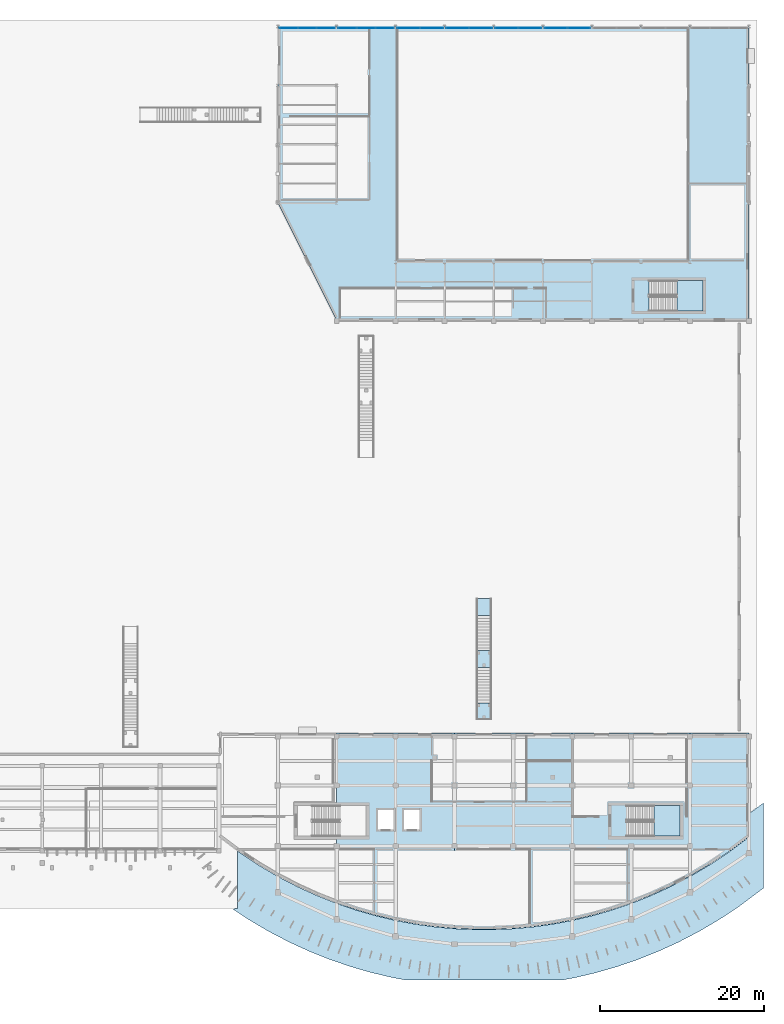
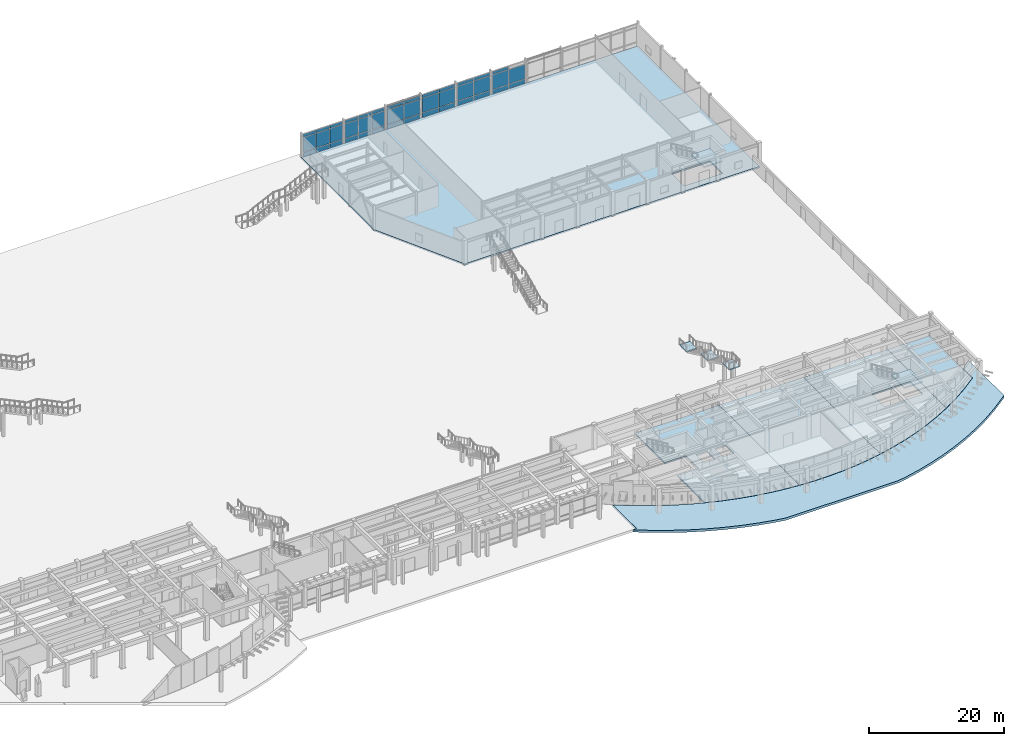
# One storey, part 26 of 58: 41 plates, 11 slabs, 9 elements without a shape of their own.
"""IFC4 building model written with IfcOpenShell, lengths in metres."""

from ifc_helpers import new_model, si_unit, direction, frame, origin, origin_2d, place, context, subcontext, project, spatial, polyline, rectangle, outline, extrude, material, layer, layer_set, type_object, element, aggregate, save


model = new_model("IFC4")

# Units and contexts
model_context = context("Model", 3, precision=1e-05, world=origin(), true_north=direction((0.0, 1.0)))
body_context = subcontext(model_context, "Body", "Model", "MODEL_VIEW")
ifc_project = project(units=[si_unit("LENGTHUNIT", "METRE"), si_unit("AREAUNIT", "SQUARE_METRE"), si_unit("VOLUMEUNIT", "CUBIC_METRE"), si_unit("PLANEANGLEUNIT", "RADIAN"), si_unit("MASSUNIT", "GRAM", prefix="KILO")], contexts=[model_context])

# Site, building, storey
site_placement = place(None, origin())
site = spatial("IfcSite", under=ifc_project, at=site_placement, CompositionType="ELEMENT")
building_placement = place(site_placement, origin())
building = spatial("IfcBuilding", under=site, at=building_placement, Name="Brisavento Harbour Community Centre", CompositionType="ELEMENT")
storey_placement = place(building_placement, origin())
storey = spatial("IfcBuildingStorey", under=building, at=storey_placement, Name="L00", CompositionType="ELEMENT", Elevation=0.0)

# Curtain wall, plates
ifc_material_1 = material(Name="Marine-anodised aluminium AW-6063-T6", Category="aluminium")
ifc_layer_1 = layer(ifc_material_1, 0.179931640625, Name="Marine-anodised aluminium AW-6063-T6")
ifc_layer_set_1 = layer_set([ifc_layer_1], Name="Marine-anodised aluminium AW-6063-T6")
curtain_wall_type_1 = type_object("IfcCurtainWallType", Name="CW-SYS-11", PredefinedType="USERDEFINED", material=ifc_layer_set_1)
curtain_wall_1_placement = place(storey_placement, origin())
curtain_wall_1 = element("IfcCurtainWall", 1, at=curtain_wall_1_placement, inside=storey, type_object=curtain_wall_type_1, Name="L00 V4 unitised curtain wall 011", ObjectType="UNITISED CURTAIN WALL", PredefinedType="USERDEFINED")
ifc_material_2 = material(Name="Solar-control laminated low-E glass", Category="glass")
ifc_layer_2 = layer(ifc_material_2, 0.02392578125, Name="Solar-control laminated low-E glass")
ifc_layer_set_2 = layer_set([ifc_layer_2], Name="Solar-control laminated low-E glass")
plate_type_1 = type_object("IfcPlateType", Name="CWP-GLZ-1", PredefinedType="CURTAIN_PANEL", material=ifc_layer_set_2)
plate_1_placement = place(storey_placement, frame((143.186279296875, 115.02001953125, 0.074951171875), z_axis=(0.0, 0.0, 1.0), x_axis=(1.0, 0.0, 0.0)))
plate_1 = element("IfcPlate", 2, at=plate_1_placement, type_object=plate_type_1, Name="CW-11 panel 1.1", PredefinedType="CURTAIN_PANEL", context=body_context, shape_type="SweptSolid", body=[
    extrude(rectangle(XDim=2.75244140625, YDim=0.02392578125, at=origin_2d()), origin(), (0.0, 0.0, 1.0), 0.78759765625),
])
plate_2_placement = place(storey_placement, frame((143.186279296875, 115.02001953125, 0.9375), z_axis=(0.0, 0.0, 1.0), x_axis=(1.0, 0.0, 0.0)))
plate_2 = element("IfcPlate", 3, at=plate_2_placement, type_object=plate_type_1, Name="CW-11 panel 1.2", PredefinedType="CURTAIN_PANEL", context=body_context, shape_type="SweptSolid", body=[
    extrude(rectangle(XDim=2.75244140625, YDim=0.02392578125, at=origin_2d()), origin(), (0.0, 0.0, 1.0), 2.614990234375),
])
plate_3_placement = place(storey_placement, frame((143.186279296875, 115.02001953125, 3.62744140625), z_axis=(0.0, 0.0, 1.0), x_axis=(1.0, 0.0, 0.0)))
plate_3 = element("IfcPlate", 4, at=plate_3_placement, type_object=plate_type_1, Name="CW-11 panel 1.3", PredefinedType="CURTAIN_PANEL", context=body_context, shape_type="SweptSolid", body=[
    extrude(rectangle(XDim=2.75244140625, YDim=0.02392578125, at=origin_2d()), origin(), (0.0, 0.0, 1.0), 0.53759765625),
])
plate_4_placement = place(storey_placement, frame((146.013671875, 115.02001953125, 0.074951171875), z_axis=(0.0, 0.0, 1.0), x_axis=(1.0, 0.0, 0.0)))
plate_4 = element("IfcPlate", 5, at=plate_4_placement, type_object=plate_type_1, Name="CW-11 panel 2.1", PredefinedType="CURTAIN_PANEL", context=body_context, shape_type="SweptSolid", body=[
    extrude(rectangle(XDim=2.75244140625, YDim=0.02392578125, at=origin_2d()), origin(), (0.0, 0.0, 1.0), 0.78759765625),
])
plate_5_placement = place(storey_placement, frame((146.013671875, 115.02001953125, 0.9375), z_axis=(0.0, 0.0, 1.0), x_axis=(1.0, 0.0, 0.0)))
plate_5 = element("IfcPlate", 6, at=plate_5_placement, type_object=plate_type_1, Name="CW-11 panel 2.2", PredefinedType="CURTAIN_PANEL", context=body_context, shape_type="SweptSolid", body=[
    extrude(rectangle(XDim=2.75244140625, YDim=0.02392578125, at=origin_2d()), origin(), (0.0, 0.0, 1.0), 2.614990234375),
])
plate_6_placement = place(storey_placement, frame((146.013671875, 115.02001953125, 3.62744140625), z_axis=(0.0, 0.0, 1.0), x_axis=(1.0, 0.0, 0.0)))
plate_6 = element("IfcPlate", 7, at=plate_6_placement, type_object=plate_type_1, Name="CW-11 panel 2.3", PredefinedType="CURTAIN_PANEL", context=body_context, shape_type="SweptSolid", body=[
    extrude(rectangle(XDim=2.75244140625, YDim=0.02392578125, at=origin_2d()), origin(), (0.0, 0.0, 1.0), 0.53759765625),
])
aggregate(curtain_wall_1, [plate_1, plate_2, plate_3, plate_4, plate_5, plate_6])

ifc_layer_3 = layer(ifc_material_1, 0.179931640625, Name="Marine-anodised aluminium AW-6063-T6")
ifc_layer_set_3 = layer_set([ifc_layer_3], Name="Marine-anodised aluminium AW-6063-T6")
curtain_wall_type_2 = type_object("IfcCurtainWallType", Name="CW-SYS-07", PredefinedType="USERDEFINED", material=ifc_layer_set_3)
curtain_wall_2_placement = place(storey_placement, origin())
curtain_wall_2 = element("IfcCurtainWall", 8, at=curtain_wall_2_placement, inside=storey, type_object=curtain_wall_type_2, Name="L00 V4 unitised curtain wall 007", ObjectType="UNITISED CURTAIN WALL", PredefinedType="USERDEFINED")
ifc_layer_4 = layer(ifc_material_2, 0.028076171875, Name="Solar-control laminated low-E glass")
ifc_layer_set_4 = layer_set([ifc_layer_4], Name="Solar-control laminated low-E glass")
plate_type_2 = type_object("IfcPlateType", Name="CWP-GLZ-2", PredefinedType="CURTAIN_PANEL", material=ifc_layer_set_4)
plate_7_placement = place(storey_placement, frame((116.5087890625, 115.02001953125, 0.074951171875), z_axis=(0.0, 0.0, 1.0), x_axis=(1.0, 0.0, 0.0)))
plate_7 = element("IfcPlate", 9, at=plate_7_placement, type_object=plate_type_2, Name="CW-07 panel 1.1", PredefinedType="CURTAIN_PANEL", context=body_context, shape_type="SweptSolid", body=[
    extrude(rectangle(XDim=2.197509765625, YDim=0.028076171875, at=origin_2d()), origin(), (0.0, 0.0, 1.0), 0.78759765625),
])
plate_8_placement = place(storey_placement, frame((116.5087890625, 115.02001953125, 0.9375), z_axis=(0.0, 0.0, 1.0), x_axis=(1.0, 0.0, 0.0)))
plate_8 = element("IfcPlate", 10, at=plate_8_placement, type_object=plate_type_2, Name="CW-07 panel 1.2", PredefinedType="CURTAIN_PANEL", context=body_context, shape_type="SweptSolid", body=[
    extrude(rectangle(XDim=2.197509765625, YDim=0.028076171875, at=origin_2d()), origin(), (0.0, 0.0, 1.0), 2.614990234375),
])
plate_9_placement = place(storey_placement, frame((116.5087890625, 115.02001953125, 3.62744140625), z_axis=(0.0, 0.0, 1.0), x_axis=(1.0, 0.0, 0.0)))
plate_9 = element("IfcPlate", 11, at=plate_9_placement, type_object=plate_type_2, Name="CW-07 panel 1.3", PredefinedType="CURTAIN_PANEL", context=body_context, shape_type="SweptSolid", body=[
    extrude(rectangle(XDim=2.197509765625, YDim=0.028076171875, at=origin_2d()), origin(), (0.0, 0.0, 1.0), 0.53759765625),
])
plate_10_placement = place(storey_placement, frame((118.800048828125, 115.02001953125, 0.074951171875), z_axis=(0.0, 0.0, 1.0), x_axis=(1.0, 0.0, 0.0)))
plate_10 = element("IfcPlate", 12, at=plate_10_placement, type_object=plate_type_2, Name="CW-07 panel 2.1", PredefinedType="CURTAIN_PANEL", context=body_context, shape_type="SweptSolid", body=[
    extrude(rectangle(XDim=2.235107421875, YDim=0.028076171875, at=origin_2d()), origin(), (0.0, 0.0, 1.0), 0.78759765625),
])
plate_11_placement = place(storey_placement, frame((118.800048828125, 115.02001953125, 0.9375), z_axis=(0.0, 0.0, 1.0), x_axis=(1.0, 0.0, 0.0)))
plate_11 = element("IfcPlate", 13, at=plate_11_placement, type_object=plate_type_2, Name="CW-07 panel 2.2", PredefinedType="CURTAIN_PANEL", context=body_context, shape_type="SweptSolid", body=[
    extrude(rectangle(XDim=2.235107421875, YDim=0.028076171875, at=origin_2d()), origin(), (0.0, 0.0, 1.0), 2.614990234375),
])
plate_12_placement = place(storey_placement, frame((118.800048828125, 115.02001953125, 3.62744140625), z_axis=(0.0, 0.0, 1.0), x_axis=(1.0, 0.0, 0.0)))
plate_12 = element("IfcPlate", 14, at=plate_12_placement, type_object=plate_type_2, Name="CW-07 panel 2.3", PredefinedType="CURTAIN_PANEL", context=body_context, shape_type="SweptSolid", body=[
    extrude(rectangle(XDim=2.235107421875, YDim=0.028076171875, at=origin_2d()), origin(), (0.0, 0.0, 1.0), 0.53759765625),
])
plate_13_placement = place(storey_placement, frame((121.09130859375, 115.02001953125, 0.074951171875), z_axis=(0.0, 0.0, 1.0), x_axis=(1.0, 0.0, 0.0)))
plate_13 = element("IfcPlate", 15, at=plate_13_placement, type_object=plate_type_2, Name="CW-07 panel 3.1", PredefinedType="CURTAIN_PANEL", context=body_context, shape_type="SweptSolid", body=[
    extrude(rectangle(XDim=2.197509765625, YDim=0.028076171875, at=origin_2d()), origin(), (0.0, 0.0, 1.0), 0.78759765625),
])
plate_14_placement = place(storey_placement, frame((121.09130859375, 115.02001953125, 0.9375), z_axis=(0.0, 0.0, 1.0), x_axis=(1.0, 0.0, 0.0)))
plate_14 = element("IfcPlate", 16, at=plate_14_placement, type_object=plate_type_2, Name="CW-07 panel 3.2", PredefinedType="CURTAIN_PANEL", context=body_context, shape_type="SweptSolid", body=[
    extrude(rectangle(XDim=2.197509765625, YDim=0.028076171875, at=origin_2d()), origin(), (0.0, 0.0, 1.0), 2.614990234375),
])
plate_15_placement = place(storey_placement, frame((121.09130859375, 115.02001953125, 3.62744140625), z_axis=(0.0, 0.0, 1.0), x_axis=(1.0, 0.0, 0.0)))
plate_15 = element("IfcPlate", 17, at=plate_15_placement, type_object=plate_type_2, Name="CW-07 panel 3.3", PredefinedType="CURTAIN_PANEL", context=body_context, shape_type="SweptSolid", body=[
    extrude(rectangle(XDim=2.197509765625, YDim=0.028076171875, at=origin_2d()), origin(), (0.0, 0.0, 1.0), 0.53759765625),
])
aggregate(curtain_wall_2, [plate_7, plate_8, plate_9, plate_10, plate_11, plate_12, plate_13, plate_14, plate_15])

ifc_layer_5 = layer(ifc_material_1, 0.179931640625, Name="Marine-anodised aluminium AW-6063-T6")
ifc_layer_set_5 = layer_set([ifc_layer_5], Name="Marine-anodised aluminium AW-6063-T6")
curtain_wall_type_3 = type_object("IfcCurtainWallType", Name="CW-SYS-12", PredefinedType="USERDEFINED", material=ifc_layer_set_5)
curtain_wall_3_placement = place(storey_placement, origin())
curtain_wall_3 = element("IfcCurtainWall", 18, at=curtain_wall_3_placement, inside=storey, type_object=curtain_wall_type_3, Name="L00 V4 unitised curtain wall 012", ObjectType="UNITISED CURTAIN WALL", PredefinedType="USERDEFINED")
plate_16_placement = place(storey_placement, frame((149.1875, 115.02001953125, 0.080078125), z_axis=(0.0, 0.0, 1.0), x_axis=(1.0, 0.0, 0.0)))
plate_16 = element("IfcPlate", 19, at=plate_16_placement, type_object=plate_type_2, Name="CW-12 panel 1.1", PredefinedType="CURTAIN_PANEL", context=body_context, shape_type="SweptSolid", body=[
    extrude(rectangle(XDim=2.7451171875, YDim=0.028076171875, at=origin_2d()), origin(), (0.0, 0.0, 1.0), 0.780029296875),
])
plate_17_placement = place(storey_placement, frame((149.1875, 115.02001953125, 0.93994140625), z_axis=(0.0, 0.0, 1.0), x_axis=(1.0, 0.0, 0.0)))
plate_17 = element("IfcPlate", 20, at=plate_17_placement, type_object=plate_type_2, Name="CW-12 panel 1.2", PredefinedType="CURTAIN_PANEL", context=body_context, shape_type="SweptSolid", body=[
    extrude(rectangle(XDim=2.7451171875, YDim=0.028076171875, at=origin_2d()), origin(), (0.0, 0.0, 1.0), 2.610107421875),
])
plate_18_placement = place(storey_placement, frame((149.1875, 115.02001953125, 3.6298828125), z_axis=(0.0, 0.0, 1.0), x_axis=(1.0, 0.0, 0.0)))
plate_18 = element("IfcPlate", 21, at=plate_18_placement, type_object=plate_type_2, Name="CW-12 panel 1.3", PredefinedType="CURTAIN_PANEL", context=body_context, shape_type="SweptSolid", body=[
    extrude(rectangle(XDim=2.7451171875, YDim=0.028076171875, at=origin_2d()), origin(), (0.0, 0.0, 1.0), 0.530029296875),
])
plate_19_placement = place(storey_placement, frame((152.012451171875, 115.02001953125, 0.080078125), z_axis=(0.0, 0.0, 1.0), x_axis=(1.0, 0.0, 0.0)))
plate_19 = element("IfcPlate", 22, at=plate_19_placement, type_object=plate_type_2, Name="CW-12 panel 2.1", PredefinedType="CURTAIN_PANEL", context=body_context, shape_type="SweptSolid", body=[
    extrude(rectangle(XDim=2.7451171875, YDim=0.028076171875, at=origin_2d()), origin(), (0.0, 0.0, 1.0), 0.780029296875),
])
plate_20_placement = place(storey_placement, frame((152.012451171875, 115.02001953125, 0.93994140625), z_axis=(0.0, 0.0, 1.0), x_axis=(1.0, 0.0, 0.0)))
plate_20 = element("IfcPlate", 23, at=plate_20_placement, type_object=plate_type_2, Name="CW-12 panel 2.2", PredefinedType="CURTAIN_PANEL", context=body_context, shape_type="SweptSolid", body=[
    extrude(rectangle(XDim=2.7451171875, YDim=0.028076171875, at=origin_2d()), origin(), (0.0, 0.0, 1.0), 2.610107421875),
])
aggregate(curtain_wall_3, [plate_16, plate_17, plate_18, plate_19, plate_20])

ifc_layer_6 = layer(ifc_material_1, 0.179931640625, Name="Marine-anodised aluminium AW-6063-T6")
ifc_layer_set_6 = layer_set([ifc_layer_6], Name="Marine-anodised aluminium AW-6063-T6")
curtain_wall_type_4 = type_object("IfcCurtainWallType", Name="CW-SYS-08", PredefinedType="USERDEFINED", material=ifc_layer_set_6)
curtain_wall_4_placement = place(storey_placement, origin())
curtain_wall_4 = element("IfcCurtainWall", 24, at=curtain_wall_4_placement, inside=storey, type_object=curtain_wall_type_4, Name="L00 V4 unitised curtain wall 008", ObjectType="UNITISED CURTAIN WALL", PredefinedType="USERDEFINED")
ifc_layer_7 = layer(ifc_material_2, 0.031982421875, Name="Solar-control laminated low-E glass")
ifc_layer_set_7 = layer_set([ifc_layer_7], Name="Solar-control laminated low-E glass")
plate_type_3 = type_object("IfcPlateType", Name="CWP-GLZ-3", PredefinedType="CURTAIN_PANEL", material=ifc_layer_set_7)
plate_21_placement = place(storey_placement, frame((123.7099609375, 115.02001953125, 0.080078125), z_axis=(0.0, 0.0, 1.0), x_axis=(1.0, 0.0, 0.0)))
plate_21 = element("IfcPlate", 25, at=plate_21_placement, type_object=plate_type_3, Name="CW-08 panel 1.1", PredefinedType="CURTAIN_PANEL", context=body_context, shape_type="SweptSolid", body=[
    extrude(rectangle(XDim=2.18994140625, YDim=0.031982421875, at=origin_2d()), origin(), (0.0, 0.0, 1.0), 0.780029296875),
])
plate_22_placement = place(storey_placement, frame((123.7099609375, 115.02001953125, 0.93994140625), z_axis=(0.0, 0.0, 1.0), x_axis=(1.0, 0.0, 0.0)))
plate_22 = element("IfcPlate", 26, at=plate_22_placement, type_object=plate_type_3, Name="CW-08 panel 1.2", PredefinedType="CURTAIN_PANEL", context=body_context, shape_type="SweptSolid", body=[
    extrude(rectangle(XDim=2.18994140625, YDim=0.031982421875, at=origin_2d()), origin(), (0.0, 0.0, 1.0), 2.610107421875),
])
plate_23_placement = place(storey_placement, frame((123.7099609375, 115.02001953125, 3.6298828125), z_axis=(0.0, 0.0, 1.0), x_axis=(1.0, 0.0, 0.0)))
plate_23 = element("IfcPlate", 27, at=plate_23_placement, type_object=plate_type_3, Name="CW-08 panel 1.3", PredefinedType="CURTAIN_PANEL", context=body_context, shape_type="SweptSolid", body=[
    extrude(rectangle(XDim=2.18994140625, YDim=0.031982421875, at=origin_2d()), origin(), (0.0, 0.0, 1.0), 0.530029296875),
])
plate_24_placement = place(storey_placement, frame((126.0, 115.02001953125, 0.080078125), z_axis=(0.0, 0.0, 1.0), x_axis=(1.0, 0.0, 0.0)))
plate_24 = element("IfcPlate", 28, at=plate_24_placement, type_object=plate_type_3, Name="CW-08 panel 2.1", PredefinedType="CURTAIN_PANEL", context=body_context, shape_type="SweptSolid", body=[
    extrude(rectangle(XDim=2.22998046875, YDim=0.031982421875, at=origin_2d()), origin(), (0.0, 0.0, 1.0), 0.780029296875),
])
plate_25_placement = place(storey_placement, frame((126.0, 115.02001953125, 0.93994140625), z_axis=(0.0, 0.0, 1.0), x_axis=(1.0, 0.0, 0.0)))
plate_25 = element("IfcPlate", 29, at=plate_25_placement, type_object=plate_type_3, Name="CW-08 panel 2.2", PredefinedType="CURTAIN_PANEL", context=body_context, shape_type="SweptSolid", body=[
    extrude(rectangle(XDim=2.22998046875, YDim=0.031982421875, at=origin_2d()), origin(), (0.0, 0.0, 1.0), 2.610107421875),
])
plate_26_placement = place(storey_placement, frame((126.0, 115.02001953125, 3.6298828125), z_axis=(0.0, 0.0, 1.0), x_axis=(1.0, 0.0, 0.0)))
plate_26 = element("IfcPlate", 30, at=plate_26_placement, type_object=plate_type_3, Name="CW-08 panel 2.3", PredefinedType="CURTAIN_PANEL", context=body_context, shape_type="SweptSolid", body=[
    extrude(rectangle(XDim=2.22998046875, YDim=0.031982421875, at=origin_2d()), origin(), (0.0, 0.0, 1.0), 0.530029296875),
])
plate_27_placement = place(storey_placement, frame((128.2900390625, 115.02001953125, 0.080078125), z_axis=(0.0, 0.0, 1.0), x_axis=(1.0, 0.0, 0.0)))
plate_27 = element("IfcPlate", 31, at=plate_27_placement, type_object=plate_type_3, Name="CW-08 panel 3.1", PredefinedType="CURTAIN_PANEL", context=body_context, shape_type="SweptSolid", body=[
    extrude(rectangle(XDim=2.18994140625, YDim=0.031982421875, at=origin_2d()), origin(), (0.0, 0.0, 1.0), 0.780029296875),
])
plate_28_placement = place(storey_placement, frame((128.2900390625, 115.02001953125, 0.93994140625), z_axis=(0.0, 0.0, 1.0), x_axis=(1.0, 0.0, 0.0)))
plate_28 = element("IfcPlate", 32, at=plate_28_placement, type_object=plate_type_3, Name="CW-08 panel 3.2", PredefinedType="CURTAIN_PANEL", context=body_context, shape_type="SweptSolid", body=[
    extrude(rectangle(XDim=2.18994140625, YDim=0.031982421875, at=origin_2d()), origin(), (0.0, 0.0, 1.0), 2.610107421875),
])
plate_29_placement = place(storey_placement, frame((128.2900390625, 115.02001953125, 3.6298828125), z_axis=(0.0, 0.0, 1.0), x_axis=(1.0, 0.0, 0.0)))
plate_29 = element("IfcPlate", 33, at=plate_29_placement, type_object=plate_type_3, Name="CW-08 panel 3.3", PredefinedType="CURTAIN_PANEL", context=body_context, shape_type="SweptSolid", body=[
    extrude(rectangle(XDim=2.18994140625, YDim=0.031982421875, at=origin_2d()), origin(), (0.0, 0.0, 1.0), 0.530029296875),
])
aggregate(curtain_wall_4, [plate_21, plate_22, plate_23, plate_24, plate_25, plate_26, plate_27, plate_28, plate_29])

ifc_layer_8 = layer(ifc_material_1, 0.179931640625, Name="Marine-anodised aluminium AW-6063-T6")
ifc_layer_set_8 = layer_set([ifc_layer_8], Name="Marine-anodised aluminium AW-6063-T6")
curtain_wall_type_5 = type_object("IfcCurtainWallType", Name="CW-SYS-09", PredefinedType="USERDEFINED", material=ifc_layer_set_8)
curtain_wall_5_placement = place(storey_placement, origin())
curtain_wall_5 = element("IfcCurtainWall", 34, at=curtain_wall_5_placement, inside=storey, type_object=curtain_wall_type_5, Name="L00 V4 unitised curtain wall 009", ObjectType="UNITISED CURTAIN WALL", PredefinedType="USERDEFINED")
ifc_layer_9 = layer(ifc_material_2, 0.035888671875, Name="Solar-control laminated low-E glass")
ifc_layer_set_9 = layer_set([ifc_layer_9], Name="Solar-control laminated low-E glass")
plate_type_4 = type_object("IfcPlateType", Name="CWP-GLZ-4", PredefinedType="CURTAIN_PANEL", material=ifc_layer_set_9)
plate_30_placement = place(storey_placement, frame((131.183837890625, 115.02001953125, 0.06494140625), z_axis=(0.0, 0.0, 1.0), x_axis=(1.0, 0.0, 0.0)))
plate_30 = element("IfcPlate", 35, at=plate_30_placement, type_object=plate_type_4, Name="CW-09 panel 1.1", PredefinedType="CURTAIN_PANEL", context=body_context, shape_type="SweptSolid", body=[
    extrude(rectangle(XDim=2.767578125, YDim=0.035888671875, at=origin_2d()), origin(), (0.0, 0.0, 1.0), 0.802490234375),
])
plate_31_placement = place(storey_placement, frame((131.183837890625, 115.02001953125, 0.9326171875), z_axis=(0.0, 0.0, 1.0), x_axis=(1.0, 0.0, 0.0)))
plate_31 = element("IfcPlate", 36, at=plate_31_placement, type_object=plate_type_4, Name="CW-09 panel 1.2", PredefinedType="CURTAIN_PANEL", context=body_context, shape_type="SweptSolid", body=[
    extrude(rectangle(XDim=2.767578125, YDim=0.035888671875, at=origin_2d()), origin(), (0.0, 0.0, 1.0), 2.625),
])
plate_32_placement = place(storey_placement, frame((131.183837890625, 115.02001953125, 3.62255859375), z_axis=(0.0, 0.0, 1.0), x_axis=(1.0, 0.0, 0.0)))
plate_32 = element("IfcPlate", 37, at=plate_32_placement, type_object=plate_type_4, Name="CW-09 panel 1.3", PredefinedType="CURTAIN_PANEL", context=body_context, shape_type="SweptSolid", body=[
    extrude(rectangle(XDim=2.767578125, YDim=0.035888671875, at=origin_2d()), origin(), (0.0, 0.0, 1.0), 0.552490234375),
])
plate_33_placement = place(storey_placement, frame((134.016357421875, 115.02001953125, 0.06494140625), z_axis=(0.0, 0.0, 1.0), x_axis=(1.0, 0.0, 0.0)))
plate_33 = element("IfcPlate", 38, at=plate_33_placement, type_object=plate_type_4, Name="CW-09 panel 2.1", PredefinedType="CURTAIN_PANEL", context=body_context, shape_type="SweptSolid", body=[
    extrude(rectangle(XDim=2.767578125, YDim=0.035888671875, at=origin_2d()), origin(), (0.0, 0.0, 1.0), 0.802490234375),
])
plate_34_placement = place(storey_placement, frame((134.016357421875, 115.02001953125, 0.9326171875), z_axis=(0.0, 0.0, 1.0), x_axis=(1.0, 0.0, 0.0)))
plate_34 = element("IfcPlate", 39, at=plate_34_placement, type_object=plate_type_4, Name="CW-09 panel 2.2", PredefinedType="CURTAIN_PANEL", context=body_context, shape_type="SweptSolid", body=[
    extrude(rectangle(XDim=2.767578125, YDim=0.035888671875, at=origin_2d()), origin(), (0.0, 0.0, 1.0), 2.625),
])
plate_35_placement = place(storey_placement, frame((134.016357421875, 115.02001953125, 3.62255859375), z_axis=(0.0, 0.0, 1.0), x_axis=(1.0, 0.0, 0.0)))
plate_35 = element("IfcPlate", 40, at=plate_35_placement, type_object=plate_type_4, Name="CW-09 panel 2.3", PredefinedType="CURTAIN_PANEL", context=body_context, shape_type="SweptSolid", body=[
    extrude(rectangle(XDim=2.767578125, YDim=0.035888671875, at=origin_2d()), origin(), (0.0, 0.0, 1.0), 0.552490234375),
])
aggregate(curtain_wall_5, [plate_30, plate_31, plate_32, plate_33, plate_34, plate_35])

ifc_layer_10 = layer(ifc_material_1, 0.179931640625, Name="Marine-anodised aluminium AW-6063-T6")
ifc_layer_set_10 = layer_set([ifc_layer_10], Name="Marine-anodised aluminium AW-6063-T6")
curtain_wall_type_6 = type_object("IfcCurtainWallType", Name="CW-SYS-10", PredefinedType="USERDEFINED", material=ifc_layer_set_10)
curtain_wall_6_placement = place(storey_placement, origin())
curtain_wall_6 = element("IfcCurtainWall", 41, at=curtain_wall_6_placement, inside=storey, type_object=curtain_wall_type_6, Name="L00 V4 unitised curtain wall 010", ObjectType="UNITISED CURTAIN WALL", PredefinedType="USERDEFINED")
ifc_layer_11 = layer(ifc_material_2, 0.0400390625, Name="Solar-control laminated low-E glass")
ifc_layer_set_11 = layer_set([ifc_layer_11], Name="Solar-control laminated low-E glass")
plate_type_5 = type_object("IfcPlateType", Name="CWP-GLZ-5", PredefinedType="CURTAIN_PANEL", material=ifc_layer_set_11)
plate_36_placement = place(storey_placement, frame((137.18505859375, 115.02001953125, 0.070068359375), z_axis=(0.0, 0.0, 1.0), x_axis=(1.0, 0.0, 0.0)))
plate_36 = element("IfcPlate", 42, at=plate_36_placement, type_object=plate_type_5, Name="CW-10 panel 1.1", PredefinedType="CURTAIN_PANEL", context=body_context, shape_type="SweptSolid", body=[
    extrude(rectangle(XDim=2.760009765625, YDim=0.0400390625, at=origin_2d()), origin(), (0.0, 0.0, 1.0), 0.794921875),
])
plate_37_placement = place(storey_placement, frame((137.18505859375, 115.02001953125, 0.93505859375), z_axis=(0.0, 0.0, 1.0), x_axis=(1.0, 0.0, 0.0)))
plate_37 = element("IfcPlate", 43, at=plate_37_placement, type_object=plate_type_5, Name="CW-10 panel 1.2", PredefinedType="CURTAIN_PANEL", context=body_context, shape_type="SweptSolid", body=[
    extrude(rectangle(XDim=2.760009765625, YDim=0.0400390625, at=origin_2d()), origin(), (0.0, 0.0, 1.0), 2.6201171875),
])
plate_38_placement = place(storey_placement, frame((137.18505859375, 115.02001953125, 3.625), z_axis=(0.0, 0.0, 1.0), x_axis=(1.0, 0.0, 0.0)))
plate_38 = element("IfcPlate", 44, at=plate_38_placement, type_object=plate_type_5, Name="CW-10 panel 1.3", PredefinedType="CURTAIN_PANEL", context=body_context, shape_type="SweptSolid", body=[
    extrude(rectangle(XDim=2.760009765625, YDim=0.0400390625, at=origin_2d()), origin(), (0.0, 0.0, 1.0), 0.544921875),
])
plate_39_placement = place(storey_placement, frame((140.014892578125, 115.02001953125, 0.070068359375), z_axis=(0.0, 0.0, 1.0), x_axis=(1.0, 0.0, 0.0)))
plate_39 = element("IfcPlate", 45, at=plate_39_placement, type_object=plate_type_5, Name="CW-10 panel 2.1", PredefinedType="CURTAIN_PANEL", context=body_context, shape_type="SweptSolid", body=[
    extrude(rectangle(XDim=2.760009765625, YDim=0.0400390625, at=origin_2d()), origin(), (0.0, 0.0, 1.0), 0.794921875),
])
plate_40_placement = place(storey_placement, frame((140.014892578125, 115.02001953125, 0.93505859375), z_axis=(0.0, 0.0, 1.0), x_axis=(1.0, 0.0, 0.0)))
plate_40 = element("IfcPlate", 46, at=plate_40_placement, type_object=plate_type_5, Name="CW-10 panel 2.2", PredefinedType="CURTAIN_PANEL", context=body_context, shape_type="SweptSolid", body=[
    extrude(rectangle(XDim=2.760009765625, YDim=0.0400390625, at=origin_2d()), origin(), (0.0, 0.0, 1.0), 2.6201171875),
])
plate_41_placement = place(storey_placement, frame((140.014892578125, 115.02001953125, 3.625), z_axis=(0.0, 0.0, 1.0), x_axis=(1.0, 0.0, 0.0)))
plate_41 = element("IfcPlate", 47, at=plate_41_placement, type_object=plate_type_5, Name="CW-10 panel 2.3", PredefinedType="CURTAIN_PANEL", context=body_context, shape_type="SweptSolid", body=[
    extrude(rectangle(XDim=2.760009765625, YDim=0.0400390625, at=origin_2d()), origin(), (0.0, 0.0, 1.0), 0.544921875),
])
aggregate(curtain_wall_6, [plate_36, plate_37, plate_38, plate_39, plate_40, plate_41])

# Slabs
ifc_material_3 = material(Name="Concrete C35/45", Category="concrete")
ifc_layer_12 = layer(ifc_material_3, 0.419921875, Name="Concrete C35/45")
ifc_layer_set_12 = layer_set([ifc_layer_12], Name="Concrete C35/45")
slab_type_1 = type_object("IfcSlabType", Name="SLB-COL-210", PredefinedType="FLOOR", material=ifc_layer_set_12)
slab_1_placement = place(storey_placement, frame((0.0, 0.0, -0.419921875)))
element("IfcSlab", 48, at=slab_1_placement, inside=storey, type_object=slab_type_1, Name="L00 V3 covered harbour colonnade slab", PredefinedType="FLOOR", context=body_context, shape_type="SweptSolid", body=[
    extrude(outline(polyline([(174.60009765625, 20.291748046875), (172.830078125, 18.96337890625), (172.822509765625, 16.10791015625), (170.41796875, 14.302490234375), (168.01513671875, 12.703369140625), (165.614013671875, 11.28759765625), (163.2138671875, 10.038330078125), (160.81103515625, 8.940673828125), (158.4111328125, 7.98681640625), (156.009765625, 7.166748046875), (153.6083984375, 6.474609375), (151.20556640625, 5.904296875), (148.805419921875, 5.453369140625), (146.40283203125, 5.117431640625), (144.00146484375, 4.894775390625), (141.601318359375, 4.78369140625), (139.199951171875, 4.78369140625), (136.797119140625, 4.89501953125), (134.395751953125, 5.11767578125), (131.994384765625, 5.453369140625), (129.594482421875, 5.904296875), (127.191650390625, 6.474609375), (124.790283203125, 7.166748046875), (122.388916015625, 7.98681640625), (119.987548828125, 8.94140625), (117.586181640625, 10.038330078125), (115.184814453125, 11.288330078125), (112.783447265625, 12.7041015625), (110.280029296875, 14.379150390625), (110.27978515625, 7.34716796875), (109.654296875, 7.320068359375), (111.6044921875, 6.022216796875), (114.1083984375, 4.5458984375), (116.612548828125, 3.242431640625), (119.116455078125, 2.0986328125), (121.620361328125, 1.103515625), (124.12451171875, 0.248291015625), (126.62841796875, -0.473388671875), (129.13232421875, -1.067626953125), (130.794921875, -1.3798828125), (150.0048828125, -1.3798828125), (151.667724609375, -1.067626953125), (154.171630859375, -0.473388671875), (156.675537109375, 0.248291015625), (159.1796875, 1.103515625), (161.68359375, 2.0986328125), (164.1875, 3.242431640625), (166.69140625, 4.5458984375), (169.195556640625, 6.022216796875), (171.69970703125, 7.688720703125), (174.60009765625, 9.865478515625), (174.60009765625, 20.291748046875)])), origin(), (0.0, 0.0, 1.0), 0.419921875),
])
ifc_layer_13 = layer(ifc_material_3, 0.280029296875, Name="Concrete C35/45")
ifc_layer_set_13 = layer_set([ifc_layer_13], Name="Concrete C35/45")
slab_type_2 = type_object("IfcSlabType", Name="SLB-FLR-280", PredefinedType="FLOOR", material=ifc_layer_set_13)
slab_2_placement = place(storey_placement, frame((0.0, 0.0, -0.280029296875)))
element("IfcSlab", 49, at=slab_2_placement, inside=storey, type_object=slab_type_2, Name="L00 V3 structural floor slab 012", PredefinedType="FLOOR", context=body_context, shape_type="SweptSolid", body=[
    extrude(outline(polyline([(122.39990234375, 28.800048828125), (122.39990234375, 19.94189453125), (125.991943359375, 19.94189453125), (125.991943359375, 16.2080078125), (122.39990234375, 16.2080078125), (122.39990234375, 8.014892578125), (124.800048828125, 7.1953125), (127.199951171875, 6.50341796875), (129.60009765625, 5.933837890625), (132.0, 5.48291015625), (134.39990234375, 5.147216796875), (136.800048828125, 4.9248046875), (136.800048828125, 28.800048828125), (122.39990234375, 28.800048828125)]), holes=[polyline([(129.35009765625, 19.39990234375), (129.35009765625, 17.0), (127.449951171875, 17.0), (127.449951171875, 19.39990234375), (129.35009765625, 19.39990234375)]), polyline([(132.550048828125, 17.0), (130.64990234375, 17.0), (130.64990234375, 19.39990234375), (132.550048828125, 19.39990234375), (132.550048828125, 17.0)])]), origin(), (0.0, 0.0, 1.0), 0.280029296875),
])
slab_3_placement = place(storey_placement, frame((0.0, 0.0, -0.280029296875)))
element("IfcSlab", 50, at=slab_3_placement, inside=storey, type_object=slab_type_2, Name="L00 V3 structural floor slab 013", PredefinedType="FLOOR", context=body_context, shape_type="SweptSolid", body=[
    extrude(outline(polyline([(136.800048828125, 28.800048828125), (136.800048828125, 4.9248046875), (139.199951171875, 4.813720703125), (141.60009765625, 4.813720703125), (144.0, 4.9248046875), (146.39990234375, 5.147216796875), (148.800048828125, 5.48291015625), (151.199951171875, 5.933837890625), (151.199951171875, 28.800048828125), (136.800048828125, 28.800048828125)])), origin(), (0.0, 0.0, 1.0), 0.280029296875),
])
slab_4_placement = place(storey_placement, frame((0.0, 0.0, -0.280029296875)))
element("IfcSlab", 51, at=slab_4_placement, inside=storey, type_object=slab_type_2, Name="L00 V3 structural floor slab 014", PredefinedType="FLOOR", context=body_context, shape_type="SweptSolid", body=[
    extrude(outline(polyline([(151.199951171875, 28.800048828125), (151.199951171875, 5.933837890625), (153.60009765625, 6.50341796875), (156.0, 7.1953125), (158.39990234375, 8.014892578125), (160.800048828125, 8.968505859375), (163.199951171875, 10.06494140625), (165.60009765625, 11.314208984375), (165.60009765625, 28.800048828125), (151.199951171875, 28.800048828125)]), holes=[polyline([(164.39208984375, 16.2080078125), (157.80810546875, 16.2080078125), (157.80810546875, 19.94189453125), (164.39208984375, 19.94189453125), (164.39208984375, 16.2080078125)])]), origin(), (0.0, 0.0, 1.0), 0.280029296875),
])
slab_5_placement = place(storey_placement, frame((0.0, 0.0, -0.280029296875)))
element("IfcSlab", 52, at=slab_5_placement, inside=storey, type_object=slab_type_2, Name="L00 V3 structural floor slab 015", PredefinedType="FLOOR", context=body_context, shape_type="SweptSolid", body=[
    extrude(outline(polyline([(165.60009765625, 28.800048828125), (165.60009765625, 11.314208984375), (168.0, 12.729248046875), (170.39990234375, 14.326416015625), (172.800048828125, 16.127685546875), (172.800048828125, 28.800048828125), (165.60009765625, 28.800048828125)])), origin(), (0.0, 0.0, 1.0), 0.280029296875),
])
slab_6_placement = place(storey_placement, frame((0.0, 0.0, -0.280029296875)))
element("IfcSlab", 53, at=slab_6_placement, inside=storey, type_object=slab_type_2, Name="L00 V4 structural floor slab 016", PredefinedType="FLOOR", context=body_context, shape_type="SweptSolid", body=[
    extrude(outline(polyline([(122.39990234375, 79.199951171875), (172.800048828125, 79.199951171875), (172.800048828125, 115.199951171875), (115.199951171875, 115.199951171875), (115.199951171875, 93.60009765625), (122.39990234375, 79.199951171875)]), holes=[polyline([(160.60791015625, 80.407958984375), (160.60791015625, 84.14208984375), (167.19189453125, 84.14208984375), (167.19189453125, 80.407958984375), (160.60791015625, 80.407958984375)])]), origin(), (0.0, 0.0, 1.0), 0.280029296875),
])

# Stair, slab
stair_type_1 = type_object("IfcStairType", Name="STR-DL-4500", PredefinedType="HALF_TURN_STAIR", material=ifc_material_3)
stair_1_placement = place(storey_placement, origin())
stair_1 = element("IfcStair", 54, at=stair_1_placement, inside=storey, type_object=stair_type_1, Name="L00 ST-05", PredefinedType="HALF_TURN_STAIR")
ifc_layer_14 = layer(ifc_material_3, 0.199951171875, Name="Concrete C35/45")
ifc_layer_set_14 = layer_set([ifc_layer_14], Name="Concrete C35/45")
slab_type_3 = type_object("IfcSlabType", Name="SLB-LND-200", PredefinedType="LANDING", material=ifc_layer_set_14)
slab_7_placement = place(storey_placement, frame((0.0, 0.0, 2.050048828125)))
slab_7 = element("IfcSlab", 55, at=slab_7_placement, type_object=slab_type_3, Name="ST-05 landing 1", PredefinedType="LANDING", context=body_context, shape_type="SweptSolid", body=[
    extrude(outline(polyline([(161.219970703125, 16.199951171875), (164.39990234375, 16.199951171875), (164.39990234375, 19.949951171875), (161.219970703125, 19.949951171875), (161.219970703125, 16.199951171875)])), origin(), (0.0, 0.0, 1.0), 0.199951171875),
])
aggregate(stair_1, [slab_7])

stair_2_placement = place(storey_placement, origin())
stair_2 = element("IfcStair", 56, at=stair_2_placement, inside=storey, type_object=stair_type_1, Name="L00 ST-06", PredefinedType="HALF_TURN_STAIR")
slab_8_placement = place(storey_placement, frame((0.0, 0.0, 2.050048828125)))
slab_8 = element("IfcSlab", 57, at=slab_8_placement, type_object=slab_type_3, Name="ST-06 landing 1", PredefinedType="LANDING", context=body_context, shape_type="SweptSolid", body=[
    extrude(outline(polyline([(164.02001953125, 80.39990234375), (167.199951171875, 80.39990234375), (167.199951171875, 84.14990234375), (164.02001953125, 84.14990234375), (164.02001953125, 80.39990234375)])), origin(), (0.0, 0.0, 1.0), 0.199951171875),
])
aggregate(stair_2, [slab_8])

# Stair, slabs
ifc_material_4 = material(Name="Precast concrete C40/50", Category="concrete")
stair_type_2 = type_object("IfcStairType", Name="STR-MON-4", PredefinedType="STRAIGHT_RUN_STAIR", material=ifc_material_4)
stair_3_placement = place(storey_placement, origin())
stair_3 = element("IfcStair", 58, at=stair_3_placement, inside=storey, type_object=stair_type_2, Name="L00 monumental courtyard stair MST-05", PredefinedType="STRAIGHT_RUN_STAIR")
slab_9_placement = place(storey_placement, frame((0.0, 0.0, -0.199951171875)))
slab_9 = element("IfcSlab", 59, at=slab_9_placement, type_object=slab_type_3, Name="MST-05 landing 1", PredefinedType="LANDING", context=body_context, shape_type="SweptSolid", body=[
    extrude(outline(polyline([(139.5, 45.25), (139.5, 43.19189453125), (141.300048828125, 43.19189453125), (141.300048828125, 45.25), (139.5, 45.25)])), origin(), (0.0, 0.0, 1.0), 0.199951171875),
])
slab_10_placement = place(storey_placement, frame((0.0, 0.0, 2.050048828125)))
slab_10 = element("IfcSlab", 60, at=slab_10_placement, type_object=slab_type_3, Name="MST-05 landing 2", PredefinedType="LANDING", context=body_context, shape_type="SweptSolid", body=[
    extrude(outline(polyline([(139.5, 38.887939453125), (139.5, 36.822021484375), (141.300048828125, 36.822021484375), (141.300048828125, 38.887939453125), (139.5, 38.887939453125)])), origin(), (0.0, 0.0, 1.0), 0.199951171875),
])
slab_11_placement = place(storey_placement, frame((0.0, 0.0, 4.300048828125)))
slab_11 = element("IfcSlab", 61, at=slab_11_placement, type_object=slab_type_3, Name="MST-05 landing 3", PredefinedType="LANDING", context=body_context, shape_type="SweptSolid", body=[
    extrude(outline(polyline([(139.5, 32.51806640625), (139.5, 30.4599609375), (141.300048828125, 30.4599609375), (141.300048828125, 32.51806640625), (139.5, 32.51806640625)])), origin(), (0.0, 0.0, 1.0), 0.199951171875),
])
aggregate(stair_3, [slab_9, slab_10, slab_11])

save(model, "model.ifc")
